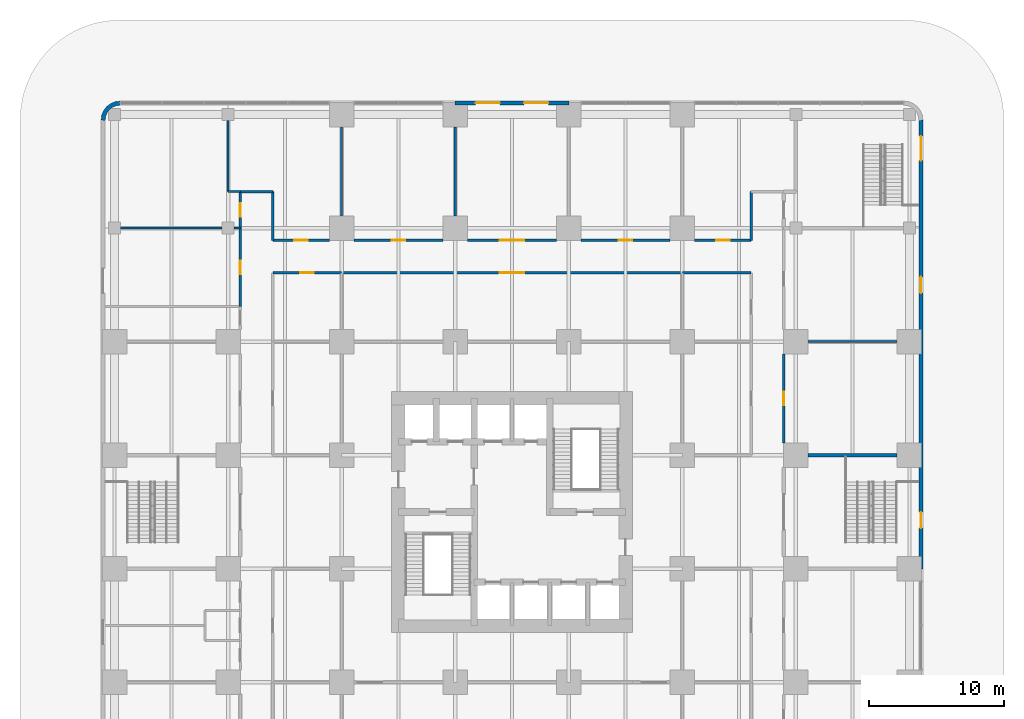
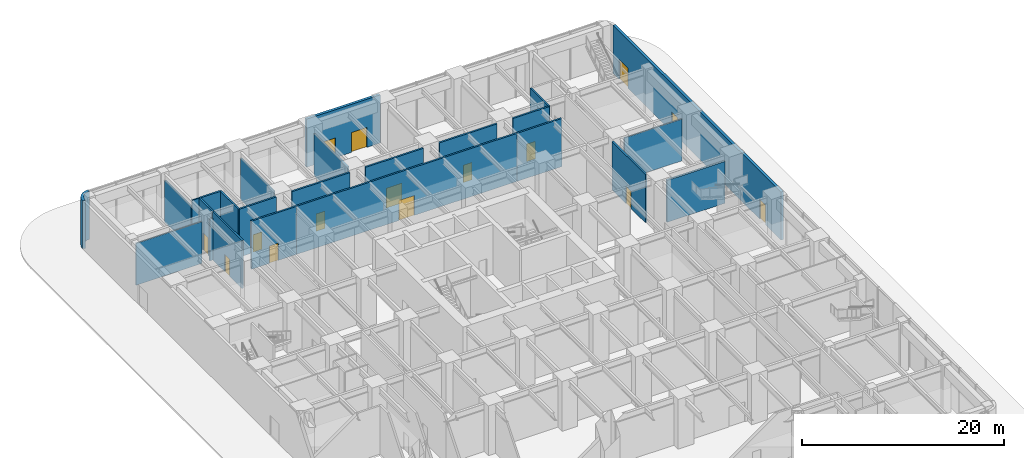
# One storey, part 15 of 21: 25 walls, 15 doors, 15 openings.
"""IFC4 building model written with IfcOpenShell, lengths in metres."""

from ifc_helpers import new_model, si_unit, direction, frame, frame_2d, origin, place, context, subcontext, project, spatial, polyline, rectangle, outline, extrude, material, layer, layer_set, type_object, element, fill, save


model = new_model("IFC4")

# Units and contexts
model_context = context("Model", 3, precision=1e-05, world=origin(), true_north=direction((0.0, 1.0)))
body_context = subcontext(model_context, "Body", "Model", "MODEL_VIEW")
ifc_project = project(units=[si_unit("LENGTHUNIT", "METRE"), si_unit("AREAUNIT", "SQUARE_METRE"), si_unit("VOLUMEUNIT", "CUBIC_METRE"), si_unit("PLANEANGLEUNIT", "RADIAN"), si_unit("MASSUNIT", "GRAM", prefix="KILO")], contexts=[model_context])

# Site, building, storey
site_placement = place(None, origin())
site = spatial("IfcSite", under=ifc_project, at=site_placement, CompositionType="ELEMENT")
building_placement = place(site_placement, origin())
building = spatial("IfcBuilding", under=site, at=building_placement, Name="Torre Alcanfor", CompositionType="ELEMENT")
storey_placement = place(building_placement, origin())
storey = spatial("IfcBuildingStorey", under=building, at=storey_placement, Name="L00", CompositionType="ELEMENT", Elevation=0.0)

# Walls
ifc_material_1 = material(Name="Concrete block masonry, hollow blocks NMX-C-404 9 MPa", Category="masonry")
ifc_layer_1 = layer(ifc_material_1, 0.14990234375)
ifc_layer_set_1 = layer_set([ifc_layer_1], Name="Classroom partition 150")
wall_type_1 = type_object("IfcWallType", Name="Classroom partition 150", PredefinedType="PARTITIONING", material=ifc_layer_set_1)
wall_1_placement = place(storey_placement, frame((51.300048828125, 42.0, 0.0), z_axis=(0.0, 0.0, 1.0), x_axis=(1.0, 0.0, 0.0)))
element("IfcWall", 1, at=wall_1_placement, inside=storey, type_object=wall_type_1, Name="Partition L00-16 / L00-18", PredefinedType="PARTITIONING", context=body_context, shape_type="SweptSolid", body=[
    extrude(rectangle(XDim=6.599853515625, YDim=0.14990234375, at=frame_2d((3.2998046875, 0.0))), origin(), (0.0, 0.0, 1.0), 5.043212890625),
])
wall_2_placement = place(storey_placement, frame((0.449951171875, 50.39990234375, 0.0), z_axis=(0.0, 0.0, 1.0), x_axis=(1.0, 0.0, 0.0)))
element("IfcWall", 2, at=wall_2_placement, inside=storey, type_object=wall_type_1, Name="Partition L00-19 / L00-23", PredefinedType="PARTITIONING", context=body_context, shape_type="SweptSolid", body=[
    extrude(rectangle(XDim=7.5, YDim=0.14990234375, at=frame_2d((3.75, 0.0))), origin(), (0.0, 0.0, 1.0), 5.043212890625),
])
wall_3_placement = place(storey_placement, frame((8.85009765625, 50.39990234375, 0.0), z_axis=(0.0, 0.0, 1.0), x_axis=(1.0, 0.0, 0.0)))
element("IfcWall", 3, at=wall_3_placement, inside=storey, type_object=wall_type_1, Name="Partition L00-19 / L00-23", PredefinedType="PARTITIONING", context=body_context, shape_type="SweptSolid", body=[
    extrude(rectangle(XDim=0.449951171875, YDim=0.14990234375, at=frame_2d((0.22509765625, 0.0))), origin(), (0.0, 0.0, 1.0), 5.043212890625),
])
wall_4_placement = place(storey_placement, frame((16.800048828125, 51.300048828125, 0.0), z_axis=(0.0, 0.0, 1.0), x_axis=(0.0, 1.0, 0.0)))
element("IfcWall", 4, at=wall_4_placement, inside=storey, type_object=wall_type_1, Name="Partition L00-20 / L00-25", PredefinedType="PARTITIONING", context=body_context, shape_type="SweptSolid", body=[
    extrude(rectangle(XDim=6.599853515625, YDim=0.14990234375, at=frame_2d((3.2998046875, 0.0))), origin(), (0.0, 0.0, 1.0), 5.043212890625),
])
wall_5_placement = place(storey_placement, frame((8.39990234375, 58.35009765625, 0.0), z_axis=(0.0, 0.0, 1.0), x_axis=(0.0, -1.0, 0.0)))
element("IfcWall", 5, at=wall_5_placement, inside=storey, type_object=wall_type_1, Name="Partition L00-23 / L00-25", PredefinedType="PARTITIONING", context=body_context, shape_type="SweptSolid", body=[
    extrude(rectangle(XDim=5.25, YDim=0.14990234375, at=frame_2d((2.625, 0.0))), origin(), (0.0, 0.0, 1.0), 5.043212890625),
])
wall_6_placement = place(storey_placement, frame((8.39990234375, 53.10009765625, 0.0), z_axis=(0.0, 0.0, 1.0), x_axis=(1.0, 0.0, 0.0)))
element("IfcWall", 6, at=wall_6_placement, inside=storey, type_object=wall_type_1, Name="Partition L00-23 / L00-25", PredefinedType="PARTITIONING", context=body_context, shape_type="SweptSolid", body=[
    extrude(rectangle(XDim=0.900146484375, YDim=0.14990234375, at=frame_2d((0.4501953125, 0.0))), origin(), (0.0, 0.0, 1.0), 5.800048828125),
])

# Wall, openings, doors
ifc_material_2 = material(Name="Limestone cladding", Category="masonry")
ifc_layer_2 = layer(ifc_material_2, 0.0400390625, Name="Facing")
ifc_material_3 = material(Name="Ventilated air cavity")
ifc_layer_3 = layer(ifc_material_3, 0.02001953125, ventilated=True, Name="Ventilated joint")
ifc_material_4 = material(Name="Mineral wool insulation", Category="insulation")
ifc_layer_4 = layer(ifc_material_4, 0.10009765625, Name="Insulation")
ifc_material_5 = material(Name="Concrete f'c 35 MPa", Category="concrete")
ifc_layer_5 = layer(ifc_material_5, 0.139892578125, Name="Backing")
ifc_layer_set_2 = layer_set([ifc_layer_2, ifc_layer_3, ifc_layer_4, ifc_layer_5], Name="External wall stone-clad 300")
wall_type_2 = type_object("IfcWallType", Name="External wall stone-clad 300", PredefinedType="SOLIDWALL", material=ifc_layer_set_2)
wall_7_placement = place(storey_placement, frame((59.64990234375, 25.199951171875, 0.0), z_axis=(0.0, 0.0, 1.0), x_axis=(0.0, 1.0, 0.0)))
wall_7 = element("IfcWall", 7, at=wall_7_placement, inside=storey, type_object=wall_type_2, Name="External wall L00 E 4", PredefinedType="SOLIDWALL", context=body_context, shape_type="SweptSolid", body=[
    extrude(rectangle(XDim=33.199951171875, YDim=0.300048828125, at=frame_2d((16.60009765625, 0.0))), origin(), (0.0, 0.0, 1.0), 5.800048828125),
])
opening_1_placement = place(wall_7_placement, frame((3.0, 0.0, 0.0)))
opening_1 = element("IfcOpeningElement", 8, at=opening_1_placement, cuts=wall_7, Name="Opening D-S1", PredefinedType="OPENING", context=body_context, shape_type="SweptSolid", body=[
    extrude(rectangle(XDim=1.199951171875, YDim=2.39990234375, at=frame_2d((0.60009765625, 1.199951171875))), frame((0.0, 0.159912109375, 0.0), z_axis=(0.0, -1.0, 0.0), x_axis=(1.0, 0.0, 0.0)), (0.0, 0.0, 1.0), 0.320068359375),
])
opening_2_placement = place(wall_7_placement, frame((20.39990234375, 0.0, 0.0)))
opening_2 = element("IfcOpeningElement", 9, at=opening_2_placement, cuts=wall_7, Name="Opening D-S1", PredefinedType="OPENING", context=body_context, shape_type="SweptSolid", body=[
    extrude(rectangle(XDim=1.199951171875, YDim=2.39990234375, at=frame_2d((0.60009765625, 1.199951171875))), frame((0.0, 0.159912109375, 0.0), z_axis=(0.0, -1.0, 0.0), x_axis=(1.0, 0.0, 0.0)), (0.0, 0.0, 1.0), 0.320068359375),
])
opening_3_placement = place(wall_7_placement, frame((30.199951171875, 0.0, 0.0)))
opening_3 = element("IfcOpeningElement", 10, at=opening_3_placement, cuts=wall_7, Name="Opening D-X1", PredefinedType="OPENING", context=body_context, shape_type="SweptSolid", body=[
    extrude(rectangle(XDim=1.800048828125, YDim=2.39990234375, at=frame_2d((0.89990234375, 1.199951171875))), frame((0.0, 0.159912109375, 0.0), z_axis=(0.0, -1.0, 0.0), x_axis=(1.0, 0.0, 0.0)), (0.0, 0.0, 1.0), 0.320068359375),
])
ifc_material_6 = material(Name="Galvanised steel sheet ASTM A653", Category="steel")
door_type_1 = type_object("IfcDoorType", Name="Exit discharge door steel double 1800x2400", OperationType="DOUBLE_DOOR_SINGLE_SWING", PredefinedType="DOOR", material=ifc_material_6)
door_1_placement = place(opening_3_placement, frame((1.800048828125, 0.0, 0.0), z_axis=(0.0, 0.0, 1.0), x_axis=(-1.0, 0.0, 0.0)))
door_1 = element("IfcDoor", 11, at=door_1_placement, inside=storey, type_object=door_type_1, Name="Exit door E 3", OperationType="DOUBLE_DOOR_SINGLE_SWING", OverallHeight=2.39990234375, OverallWidth=1.800048828125, PredefinedType="DOOR", context=body_context, shape_type="SweptSolid", body=[
    extrude(rectangle(XDim=1.800048828125, YDim=2.39990234375, at=frame_2d((0.900146484375, 1.199951171875))), frame((0.0, 0.025146484375, 0.0), z_axis=(0.0, -1.0, 0.0), x_axis=(1.0, 0.0, 0.0)), (0.0, 0.0, 1.0), 0.050048828125),
])
fill(opening_3, door_1)
ifc_material_7 = material(Name="Galvanised steel sheet ASTM A653", Category="steel")
door_type_2 = type_object("IfcDoorType", Name="Service door steel 1200x2400", OperationType="SINGLE_SWING_LEFT", PredefinedType="DOOR", material=ifc_material_7)
door_2_placement = place(opening_1_placement, frame((1.199951171875, 0.0, 0.0), z_axis=(0.0, 0.0, 1.0), x_axis=(-1.0, 0.0, 0.0)))
door_2 = element("IfcDoor", 12, at=door_2_placement, inside=storey, type_object=door_type_2, Name="Service door E 1", OperationType="SINGLE_SWING_RIGHT", OverallHeight=2.39990234375, OverallWidth=1.199951171875, PredefinedType="DOOR", context=body_context, shape_type="SweptSolid", body=[
    extrude(rectangle(XDim=1.199951171875, YDim=2.39990234375, at=frame_2d((0.599853515625, 1.199951171875))), frame((0.0, 0.025146484375, 0.0), z_axis=(0.0, -1.0, 0.0), x_axis=(1.0, 0.0, 0.0)), (0.0, 0.0, 1.0), 0.050048828125),
])
fill(opening_1, door_2)
door_3_placement = place(opening_2_placement, frame((1.199951171875, 0.0, 0.0), z_axis=(0.0, 0.0, 1.0), x_axis=(-1.0, 0.0, 0.0)))
door_3 = element("IfcDoor", 13, at=door_3_placement, inside=storey, type_object=door_type_2, Name="Service door E 2", OperationType="SINGLE_SWING_LEFT", OverallHeight=2.39990234375, OverallWidth=1.199951171875, PredefinedType="DOOR", context=body_context, shape_type="SweptSolid", body=[
    extrude(rectangle(XDim=1.199951171875, YDim=2.39990234375, at=frame_2d((0.599853515625, 1.199951171875))), frame((0.0, 0.025146484375, 0.0), z_axis=(0.0, -1.0, 0.0), x_axis=(1.0, 0.0, 0.0)), (0.0, 0.0, 1.0), 0.050048828125),
])
fill(opening_2, door_3)

wall_8_placement = place(storey_placement, frame((33.60009765625, 59.64990234375, 0.0), z_axis=(0.0, 0.0, 1.0), x_axis=(-1.0, 0.0, 0.0)))
wall_8 = element("IfcWall", 14, at=wall_8_placement, inside=storey, type_object=wall_type_2, Name="External wall L00 N 2", PredefinedType="SOLIDWALL", context=body_context, shape_type="SweptSolid", body=[
    extrude(rectangle(XDim=8.400146484375, YDim=0.300048828125, at=frame_2d((4.2001953125, 0.0))), origin(), (0.0, 0.0, 1.0), 5.800048828125),
])
opening_4_placement = place(wall_8_placement, frame((5.10009765625, 0.0, 0.0)))
opening_4 = element("IfcOpeningElement", 15, at=opening_4_placement, cuts=wall_8, Name="Opening D-E1", PredefinedType="OPENING", context=body_context, shape_type="SweptSolid", body=[
    extrude(rectangle(XDim=1.800048828125, YDim=2.39990234375, at=frame_2d((0.89990234375, 1.199951171875))), frame((0.0, 0.159912109375, 0.0), z_axis=(0.0, -1.0, 0.0), x_axis=(1.0, 0.0, 0.0)), (0.0, 0.0, 1.0), 0.320068359375),
])
opening_5_placement = place(wall_8_placement, frame((1.5, 0.0, 0.0)))
opening_5 = element("IfcOpeningElement", 16, at=opening_5_placement, cuts=wall_8, Name="Opening D-E1", PredefinedType="OPENING", context=body_context, shape_type="SweptSolid", body=[
    extrude(rectangle(XDim=1.800048828125, YDim=2.39990234375, at=frame_2d((0.89990234375, 1.199951171875))), frame((0.0, 0.159912109375, 0.0), z_axis=(0.0, -1.0, 0.0), x_axis=(1.0, 0.0, 0.0)), (0.0, 0.0, 1.0), 0.320068359375),
])
ifc_material_8 = material(Name="Aluminium and glass", Category="aluminium")
door_type_3 = type_object("IfcDoorType", Name="Entrance door glazed double 1800x2400", OperationType="DOUBLE_DOOR_SINGLE_SWING", PredefinedType="DOOR", material=ifc_material_8)
door_4_placement = place(opening_4_placement, frame((1.800048828125, 0.0, 0.0), z_axis=(0.0, 0.0, 1.0), x_axis=(-1.0, 0.0, 0.0)))
door_4 = element("IfcDoor", 17, at=door_4_placement, inside=storey, type_object=door_type_3, Name="Entrance door N 1", OperationType="DOUBLE_DOOR_SINGLE_SWING", OverallHeight=2.39990234375, OverallWidth=1.800048828125, PredefinedType="DOOR", context=body_context, shape_type="SweptSolid", body=[
    extrude(rectangle(XDim=1.800048828125, YDim=2.39990234375, at=frame_2d((0.900146484375, 1.199951171875))), frame((0.0, 0.025146484375, 0.0), z_axis=(0.0, -1.0, 0.0), x_axis=(1.0, 0.0, 0.0)), (0.0, 0.0, 1.0), 0.050048828125),
])
fill(opening_4, door_4)
door_5_placement = place(opening_5_placement, frame((1.800048828125, 0.0, 0.0), z_axis=(0.0, 0.0, 1.0), x_axis=(-1.0, 0.0, 0.0)))
door_5 = element("IfcDoor", 18, at=door_5_placement, inside=storey, type_object=door_type_3, Name="Entrance door N 2", OperationType="DOUBLE_DOOR_SINGLE_SWING", OverallHeight=2.39990234375, OverallWidth=1.800048828125, PredefinedType="DOOR", context=body_context, shape_type="SweptSolid", body=[
    extrude(rectangle(XDim=1.800048828125, YDim=2.39990234375, at=frame_2d((0.900146484375, 1.199951171875))), frame((0.0, 0.025146484375, 0.0), z_axis=(0.0, -1.0, 0.0), x_axis=(1.0, 0.0, 0.0)), (0.0, 0.0, 1.0), 0.050048828125),
])
fill(opening_5, door_5)

# Wall
ifc_material_9 = material(Name="Reinforced concrete block masonry, hollow blocks NMX-C-404 9 MPa", Category="masonry")
ifc_layer_6 = layer(ifc_material_9, 0.199951171875)
ifc_layer_set_3 = layer_set([ifc_layer_6], Name="Fire separation wall 200 EI 120")
wall_type_3 = type_object("IfcWallType", Name="Fire separation wall 200 EI 120", PredefinedType="SOLIDWALL", material=ifc_layer_set_3)
wall_9_placement = place(storey_placement, frame((25.199951171875, 57.89990234375, 0.0), z_axis=(0.0, 0.0, 1.0), x_axis=(0.0, -1.0, 0.0)))
element("IfcWall", 19, at=wall_9_placement, inside=storey, type_object=wall_type_3, Name="Partition L00-20 / L00-21", PredefinedType="SOLIDWALL", context=body_context, shape_type="SweptSolid", body=[
    extrude(rectangle(XDim=6.599853515625, YDim=0.199951171875, at=frame_2d((3.2998046875, 0.0))), origin(), (0.0, 0.0, 1.0), 5.043212890625),
])

# Wall, opening, door
wall_10_placement = place(storey_placement, frame((32.699951171875, 49.5, 0.0), z_axis=(0.0, 0.0, 1.0), x_axis=(-1.0, 0.0, 0.0)))
wall_10 = element("IfcWall", 20, at=wall_10_placement, inside=storey, type_object=wall_type_3, Name="Partition L00-21 / L00-CORR", PredefinedType="SOLIDWALL", context=body_context, shape_type="SweptSolid", body=[
    extrude(rectangle(XDim=6.599853515625, YDim=0.199951171875, at=frame_2d((3.2998046875, 0.0))), origin(), (0.0, 0.0, 1.0), 5.800048828125),
])
opening_6_placement = place(wall_10_placement, frame((2.39990234375, 0.0, 0.0)))
opening_6 = element("IfcOpeningElement", 21, at=opening_6_placement, cuts=wall_10, Name="Opening D-L2", PredefinedType="OPENING", context=body_context, shape_type="SweptSolid", body=[
    extrude(rectangle(XDim=1.800048828125, YDim=2.39990234375, at=frame_2d((0.89990234375, 1.199951171875))), frame((0.0, 0.10986328125, 0.0), z_axis=(0.0, -1.0, 0.0), x_axis=(1.0, 0.0, 0.0)), (0.0, 0.0, 1.0), 0.219970703125),
])
ifc_material_10 = material(Name="Galvanised steel sheet ASTM A653", Category="steel")
door_type_4 = type_object("IfcDoorType", Name="Lobby double door FD120 1800x2400", OperationType="DOUBLE_DOOR_SINGLE_SWING", PredefinedType="DOOR", material=ifc_material_10)
door_6_placement = place(opening_6_placement, frame((1.800048828125, 0.0, 0.0), z_axis=(0.0, 0.0, 1.0), x_axis=(-1.0, 0.0, 0.0)))
door_6 = element("IfcDoor", 22, at=door_6_placement, inside=storey, type_object=door_type_4, Name="Door L00-21 residential entrance lobby", OperationType="DOUBLE_DOOR_SINGLE_SWING", OverallHeight=2.39990234375, OverallWidth=1.800048828125, PredefinedType="DOOR", context=body_context, shape_type="SweptSolid", body=[
    extrude(rectangle(XDim=1.800048828125, YDim=2.39990234375, at=frame_2d((0.900146484375, 1.199951171875))), frame((0.0, 0.025146484375, 0.0), z_axis=(0.0, -1.0, 0.0), x_axis=(1.0, 0.0, 0.0)), (0.0, 0.0, 1.0), 0.050048828125),
])
fill(opening_6, door_6)

wall_11_placement = place(storey_placement, frame((41.10009765625, 49.5, 0.0), z_axis=(0.0, 0.0, 1.0), x_axis=(-1.0, 0.0, 0.0)))
wall_11 = element("IfcWall", 23, at=wall_11_placement, inside=storey, type_object=wall_type_3, Name="Partition L00-22 / L00-CORR", PredefinedType="SOLIDWALL", context=body_context, shape_type="SweptSolid", body=[
    extrude(rectangle(XDim=6.60009765625, YDim=0.199951171875, at=frame_2d((3.300048828125, 0.0))), origin(), (0.0, 0.0, 1.0), 5.800048828125),
])
opening_7_placement = place(wall_11_placement, frame((2.800048828125, 0.0, 0.0)))
opening_7 = element("IfcOpeningElement", 24, at=opening_7_placement, cuts=wall_11, Name="Opening D-F1", PredefinedType="OPENING", context=body_context, shape_type="SweptSolid", body=[
    extrude(rectangle(XDim=1.0, YDim=2.10009765625, at=frame_2d((0.5, 1.050048828125))), frame((0.0, 0.10986328125, 0.0), z_axis=(0.0, -1.0, 0.0), x_axis=(1.0, 0.0, 0.0)), (0.0, 0.0, 1.0), 0.219970703125),
])
ifc_material_11 = material(Name="Galvanised steel sheet ASTM A653", Category="steel")
door_type_5 = type_object("IfcDoorType", Name="Fire command centre door FD120 1000x2100", OperationType="SINGLE_SWING_RIGHT", PredefinedType="DOOR", material=ifc_material_11)
door_7_placement = place(opening_7_placement, frame((1.0, 0.0, 0.0), z_axis=(0.0, 0.0, 1.0), x_axis=(-1.0, 0.0, 0.0)))
door_7 = element("IfcDoor", 25, at=door_7_placement, inside=storey, type_object=door_type_5, Name="Door L00-22 fire command centre", OperationType="SINGLE_SWING_RIGHT", OverallHeight=2.10009765625, OverallWidth=1.0, PredefinedType="DOOR", context=body_context, shape_type="SweptSolid", body=[
    extrude(rectangle(XDim=1.0, YDim=2.10009765625, at=frame_2d((0.5, 1.050048828125))), frame((0.0, 0.025146484375, 0.0), z_axis=(0.0, -1.0, 0.0), x_axis=(1.0, 0.0, 0.0)), (0.0, 0.0, 1.0), 0.050048828125),
])
fill(opening_7, door_7)

# Wall
ifc_layer_7 = layer(ifc_material_2, 0.0400390625, Name="Facing")
ifc_layer_8 = layer(ifc_material_3, 0.02001953125, ventilated=True, Name="Ventilated joint")
ifc_layer_9 = layer(ifc_material_4, 0.10009765625, Name="Insulation")
ifc_layer_10 = layer(ifc_material_5, 0.139892578125, Name="Backing")
ifc_layer_set_4 = layer_set([ifc_layer_7, ifc_layer_8, ifc_layer_9, ifc_layer_10], Name="Rounded corner pier stone-clad 300")
wall_type_4 = type_object("IfcWallType", Name="Rounded corner pier stone-clad 300", PredefinedType="SOLIDWALL", material=ifc_layer_set_4)
wall_12_placement = place(storey_placement, frame((0.444811019, 59.647901787, 0.0), z_axis=(0.0, 0.0, 1.0), x_axis=(-0.707106781187, 0.707106781187, 0.0)))
element("IfcWall", 26, at=wall_12_placement, inside=storey, type_object=wall_type_4, Name="Corner pier L00 6", PredefinedType="SOLIDWALL", context=body_context, shape_type="SweptSolid", body=[
    extrude(outline(polyline([(0.1391667998288333, 1.9041045383070583), (-0.10079375335703122, 1.719731969384394), (-0.08681044054548093, 1.7057486565728435), (0.09963373027519085, 1.4626807005399678), (0.20925599737808592, 1.1980335580695145), (0.24654483154222023, 0.9142240980424918), (0.2092559973780859, 0.6300693710324682), (0.09963373027519096, 0.3654222285620147), (-0.08681044054548079, 0.12235427252913894), (-0.10079375335703117, 0.10837095971758856), (0.139339433320334, -0.07582897571357508), (0.36169137037313503, 0.2141952900074698), (0.5015244984886389, 0.5518663993826864), (0.5491713421428104, 0.9140514645509912), (0.5016971319801394, 1.2764091632107966), (0.36169137037313503, 1.614252906077514), (0.1391667998288333, 1.9041045383070583)])), origin(), (0.0, 0.0, 1.0), 5.800048828125),
])

# Wall, opening, door
ifc_material_12 = material(Name="Concrete block masonry, hollow blocks NMX-C-404 9 MPa", Category="masonry")
ifc_layer_11 = layer(ifc_material_12, 0.199951171875)
ifc_layer_set_5 = layer_set([ifc_layer_11], Name="School corridor wall 200")
wall_type_5 = type_object("IfcWallType", Name="School corridor wall 200", PredefinedType="PARTITIONING", material=ifc_layer_set_5)
wall_13_placement = place(storey_placement, frame((49.5, 34.5, 0.0), z_axis=(0.0, 0.0, 1.0), x_axis=(0.0, 1.0, 0.0)))
wall_13 = element("IfcWall", 27, at=wall_13_placement, inside=storey, type_object=wall_type_5, Name="Partition L00-16 / L00-CORR", PredefinedType="PARTITIONING", context=body_context, shape_type="SweptSolid", body=[
    extrude(rectangle(XDim=6.60009765625, YDim=0.199951171875, at=frame_2d((3.300048828125, 0.0))), origin(), (0.0, 0.0, 1.0), 5.800048828125),
])
opening_8_placement = place(wall_13_placement, frame((2.800048828125, 0.0, 0.0)))
opening_8 = element("IfcOpeningElement", 28, at=opening_8_placement, cuts=wall_13, Name="Opening D-C1", PredefinedType="OPENING", context=body_context, shape_type="SweptSolid", body=[
    extrude(rectangle(XDim=1.0, YDim=2.10009765625, at=frame_2d((0.5, 1.050048828125))), frame((0.0, 0.10986328125, 0.0), z_axis=(0.0, -1.0, 0.0), x_axis=(1.0, 0.0, 0.0)), (0.0, 0.0, 1.0), 0.219970703125),
])
ifc_material_13 = material(Name="Timber", Category="wood")
door_type_6 = type_object("IfcDoorType", Name="Classroom door 1000x2100", OperationType="SINGLE_SWING_RIGHT", PredefinedType="DOOR", material=ifc_material_13)
door_8_placement = place(opening_8_placement, frame((1.0, 0.0, 0.0), z_axis=(0.0, 0.0, 1.0), x_axis=(-1.0, 0.0, 0.0)))
door_8 = element("IfcDoor", 29, at=door_8_placement, inside=storey, type_object=door_type_6, Name="Door L00-16 staff workroom", OperationType="SINGLE_SWING_RIGHT", OverallHeight=2.10009765625, OverallWidth=1.0, PredefinedType="DOOR", context=body_context, shape_type="SweptSolid", body=[
    extrude(rectangle(XDim=1.0, YDim=2.10009765625, at=frame_2d((0.5, 1.050048828125))), frame((0.0, 0.025146484375, 0.0), z_axis=(0.0, -1.0, 0.0), x_axis=(1.0, 0.0, 0.0)), (0.0, 0.0, 1.0), 0.050048828125),
])
fill(opening_8, door_8)

wall_14_placement = place(storey_placement, frame((9.300048828125, 50.39990234375, 0.0), z_axis=(0.0, 0.0, 1.0), x_axis=(0.0, -1.0, 0.0)))
wall_14 = element("IfcWall", 30, at=wall_14_placement, inside=storey, type_object=wall_type_5, Name="Partition L00-19 / L00-CORR", PredefinedType="PARTITIONING", context=body_context, shape_type="SweptSolid", body=[
    extrude(rectangle(XDim=5.7998046875, YDim=0.199951171875, at=frame_2d((2.89990234375, 0.0))), origin(), (0.0, 0.0, 1.0), 5.800048828125),
])
opening_9_placement = place(wall_14_placement, frame((2.39990234375, 0.0, 0.0)))
opening_9 = element("IfcOpeningElement", 31, at=opening_9_placement, cuts=wall_14, Name="Opening D-C1", PredefinedType="OPENING", context=body_context, shape_type="SweptSolid", body=[
    extrude(rectangle(XDim=1.0, YDim=2.10009765625, at=frame_2d((0.5, 1.050048828125))), frame((0.0, 0.10986328125, 0.0), z_axis=(0.0, -1.0, 0.0), x_axis=(1.0, 0.0, 0.0)), (0.0, 0.0, 1.0), 0.219970703125),
])
door_9_placement = place(opening_9_placement, frame((1.0, 0.0, 0.0), z_axis=(0.0, 0.0, 1.0), x_axis=(-1.0, 0.0, 0.0)))
door_9 = element("IfcDoor", 32, at=door_9_placement, inside=storey, type_object=door_type_6, Name="Door L00-19 pe equipment store", OperationType="SINGLE_SWING_RIGHT", OverallHeight=2.10009765625, OverallWidth=1.0, PredefinedType="DOOR", context=body_context, shape_type="SweptSolid", body=[
    extrude(rectangle(XDim=1.0, YDim=2.10009765625, at=frame_2d((0.5, 1.050048828125))), frame((0.0, 0.025146484375, 0.0), z_axis=(0.0, -1.0, 0.0), x_axis=(1.0, 0.0, 0.0)), (0.0, 0.0, 1.0), 0.050048828125),
])
fill(opening_9, door_9)

wall_15_placement = place(storey_placement, frame((24.300048828125, 49.5, 0.0), z_axis=(0.0, 0.0, 1.0), x_axis=(-1.0, 0.0, 0.0)))
wall_15 = element("IfcWall", 33, at=wall_15_placement, inside=storey, type_object=wall_type_5, Name="Partition L00-20 / L00-CORR", PredefinedType="PARTITIONING", context=body_context, shape_type="SweptSolid", body=[
    extrude(rectangle(XDim=6.60009765625, YDim=0.199951171875, at=frame_2d((3.300048828125, 0.0))), origin(), (0.0, 0.0, 1.0), 5.800048828125),
])
opening_10_placement = place(wall_15_placement, frame((2.800048828125, 0.0, 0.0)))
opening_10 = element("IfcOpeningElement", 34, at=opening_10_placement, cuts=wall_15, Name="Opening D-C1", PredefinedType="OPENING", context=body_context, shape_type="SweptSolid", body=[
    extrude(rectangle(XDim=1.0, YDim=2.10009765625, at=frame_2d((0.5, 1.050048828125))), frame((0.0, 0.10986328125, 0.0), z_axis=(0.0, -1.0, 0.0), x_axis=(1.0, 0.0, 0.0)), (0.0, 0.0, 1.0), 0.219970703125),
])
door_10_placement = place(opening_10_placement, frame((1.0, 0.0, 0.0), z_axis=(0.0, 0.0, 1.0), x_axis=(-1.0, 0.0, 0.0)))
door_10 = element("IfcDoor", 35, at=door_10_placement, inside=storey, type_object=door_type_6, Name="Door L00-20 staff meeting room", OperationType="SINGLE_SWING_RIGHT", OverallHeight=2.10009765625, OverallWidth=1.0, PredefinedType="DOOR", context=body_context, shape_type="SweptSolid", body=[
    extrude(rectangle(XDim=1.0, YDim=2.10009765625, at=frame_2d((0.5, 1.050048828125))), frame((0.0, 0.025146484375, 0.0), z_axis=(0.0, -1.0, 0.0), x_axis=(1.0, 0.0, 0.0)), (0.0, 0.0, 1.0), 0.050048828125),
])
fill(opening_10, door_10)

wall_16_placement = place(storey_placement, frame((9.300048828125, 53.10009765625, 0.0), z_axis=(0.0, 0.0, 1.0), x_axis=(0.0, -1.0, 0.0)))
wall_16 = element("IfcWall", 36, at=wall_16_placement, inside=storey, type_object=wall_type_5, Name="Partition L00-23 / L00-CORR", PredefinedType="PARTITIONING", context=body_context, shape_type="SweptSolid", body=[
    extrude(rectangle(XDim=2.7001953125, YDim=0.199951171875, at=frame_2d((1.35009765625, 0.0))), origin(), (0.0, 0.0, 1.0), 5.800048828125),
])
opening_11_placement = place(wall_16_placement, frame((0.85009765625, 0.0, 0.0)))
opening_11 = element("IfcOpeningElement", 37, at=opening_11_placement, cuts=wall_16, Name="Opening D-C1", PredefinedType="OPENING", context=body_context, shape_type="SweptSolid", body=[
    extrude(rectangle(XDim=1.0, YDim=2.10009765625, at=frame_2d((0.5, 1.050048828125))), frame((0.0, 0.10986328125, 0.0), z_axis=(0.0, -1.0, 0.0), x_axis=(1.0, 0.0, 0.0)), (0.0, 0.0, 1.0), 0.219970703125),
])
door_11_placement = place(opening_11_placement, frame((1.0, 0.0, 0.0), z_axis=(0.0, 0.0, 1.0), x_axis=(-1.0, 0.0, 0.0)))
door_11 = element("IfcDoor", 38, at=door_11_placement, inside=storey, type_object=door_type_6, Name="Door L00-23 examinations office", OperationType="SINGLE_SWING_RIGHT", OverallHeight=2.10009765625, OverallWidth=1.0, PredefinedType="DOOR", context=body_context, shape_type="SweptSolid", body=[
    extrude(rectangle(XDim=1.0, YDim=2.10009765625, at=frame_2d((0.5, 1.050048828125))), frame((0.0, 0.025146484375, 0.0), z_axis=(0.0, -1.0, 0.0), x_axis=(1.0, 0.0, 0.0)), (0.0, 0.0, 1.0), 0.050048828125),
])
fill(opening_11, door_11)

wall_17_placement = place(storey_placement, frame((15.89990234375, 49.5, 0.0), z_axis=(0.0, 0.0, 1.0), x_axis=(-1.0, 0.0, 0.0)))
wall_17 = element("IfcWall", 39, at=wall_17_placement, inside=storey, type_object=wall_type_5, Name="Partition L00-25 / L00-CORR", PredefinedType="PARTITIONING", context=body_context, shape_type="SweptSolid", body=[
    extrude(rectangle(XDim=4.199951171875, YDim=0.199951171875, at=frame_2d((2.10009765625, 0.0))), origin(), (0.0, 0.0, 1.0), 5.800048828125),
])
opening_12_placement = place(wall_17_placement, frame((1.60009765625, 0.0, 0.0)))
opening_12 = element("IfcOpeningElement", 40, at=opening_12_placement, cuts=wall_17, Name="Opening D-C1", PredefinedType="OPENING", context=body_context, shape_type="SweptSolid", body=[
    extrude(rectangle(XDim=1.0, YDim=2.10009765625, at=frame_2d((0.5, 1.050048828125))), frame((0.0, 0.10986328125, 0.0), z_axis=(0.0, -1.0, 0.0), x_axis=(1.0, 0.0, 0.0)), (0.0, 0.0, 1.0), 0.219970703125),
])
door_12_placement = place(opening_12_placement, frame((1.0, 0.0, 0.0), z_axis=(0.0, 0.0, 1.0), x_axis=(-1.0, 0.0, 0.0)))
door_12 = element("IfcDoor", 41, at=door_12_placement, inside=storey, type_object=door_type_6, Name="Door L00-25 caretaker's office", OperationType="SINGLE_SWING_RIGHT", OverallHeight=2.10009765625, OverallWidth=1.0, PredefinedType="DOOR", context=body_context, shape_type="SweptSolid", body=[
    extrude(rectangle(XDim=1.0, YDim=2.10009765625, at=frame_2d((0.5, 1.050048828125))), frame((0.0, 0.025146484375, 0.0), z_axis=(0.0, -1.0, 0.0), x_axis=(1.0, 0.0, 0.0)), (0.0, 0.0, 1.0), 0.050048828125),
])
fill(opening_12, door_12)

# Walls
wall_18_placement = place(storey_placement, frame((11.699951171875, 49.5, 0.0), z_axis=(0.0, 0.0, 1.0), x_axis=(0.0, 1.0, 0.0)))
element("IfcWall", 42, at=wall_18_placement, inside=storey, type_object=wall_type_5, Name="Partition L00-25 / L00-CORR", PredefinedType="PARTITIONING", context=body_context, shape_type="SweptSolid", body=[
    extrude(rectangle(XDim=3.60009765625, YDim=0.199951171875, at=frame_2d((1.800048828125, 0.0))), origin(), (0.0, 0.0, 1.0), 5.800048828125),
])
wall_19_placement = place(storey_placement, frame((11.699951171875, 53.10009765625, 0.0), z_axis=(0.0, 0.0, 1.0), x_axis=(-1.0, 0.0, 0.0)))
element("IfcWall", 43, at=wall_19_placement, inside=storey, type_object=wall_type_5, Name="Partition L00-25 / L00-CORR", PredefinedType="PARTITIONING", context=body_context, shape_type="SweptSolid", body=[
    extrude(rectangle(XDim=2.39990234375, YDim=0.199951171875, at=frame_2d((1.199951171875, 0.0))), origin(), (0.0, 0.0, 1.0), 5.800048828125),
])
wall_20_placement = place(storey_placement, frame((47.10009765625, 53.10009765625, 0.0), z_axis=(0.0, 0.0, 1.0), x_axis=(0.0, -1.0, 0.0)))
element("IfcWall", 44, at=wall_20_placement, inside=storey, type_object=wall_type_5, Name="Partition L00-26 / L00-CORR", PredefinedType="PARTITIONING", context=body_context, shape_type="SweptSolid", body=[
    extrude(rectangle(XDim=3.60009765625, YDim=0.199951171875, at=frame_2d((1.800048828125, 0.0))), origin(), (0.0, 0.0, 1.0), 5.800048828125),
])

# Wall, opening, door
wall_21_placement = place(storey_placement, frame((47.10009765625, 49.5, 0.0), z_axis=(0.0, 0.0, 1.0), x_axis=(-1.0, 0.0, 0.0)))
wall_21 = element("IfcWall", 45, at=wall_21_placement, inside=storey, type_object=wall_type_5, Name="Partition L00-26 / L00-CORR", PredefinedType="PARTITIONING", context=body_context, shape_type="SweptSolid", body=[
    extrude(rectangle(XDim=4.2001953125, YDim=0.199951171875, at=frame_2d((2.10009765625, 0.0))), origin(), (0.0, 0.0, 1.0), 5.800048828125),
])
opening_13_placement = place(wall_21_placement, frame((1.60009765625, 0.0, 0.0)))
opening_13 = element("IfcOpeningElement", 46, at=opening_13_placement, cuts=wall_21, Name="Opening D-C1", PredefinedType="OPENING", context=body_context, shape_type="SweptSolid", body=[
    extrude(rectangle(XDim=1.0, YDim=2.10009765625, at=frame_2d((0.5, 1.050048828125))), frame((0.0, 0.10986328125, 0.0), z_axis=(0.0, -1.0, 0.0), x_axis=(1.0, 0.0, 0.0)), (0.0, 0.0, 1.0), 0.219970703125),
])
door_13_placement = place(opening_13_placement, frame((1.0, 0.0, 0.0), z_axis=(0.0, 0.0, 1.0), x_axis=(-1.0, 0.0, 0.0)))
door_13 = element("IfcDoor", 47, at=door_13_placement, inside=storey, type_object=door_type_6, Name="Door L00-26 security office", OperationType="SINGLE_SWING_RIGHT", OverallHeight=2.10009765625, OverallWidth=1.0, PredefinedType="DOOR", context=body_context, shape_type="SweptSolid", body=[
    extrude(rectangle(XDim=1.0, YDim=2.10009765625, at=frame_2d((0.5, 1.050048828125))), frame((0.0, 0.025146484375, 0.0), z_axis=(0.0, -1.0, 0.0), x_axis=(1.0, 0.0, 0.0)), (0.0, 0.0, 1.0), 0.050048828125),
])
fill(opening_13, door_13)

wall_22_placement = place(storey_placement, frame((16.800048828125, 47.10009765625, 0.0), z_axis=(0.0, 0.0, 1.0), x_axis=(-1.0, 0.0, 0.0)))
wall_22 = element("IfcWall", 48, at=wall_22_placement, inside=storey, type_object=wall_type_5, Name="Partition L00-CORR / L00-I11", PredefinedType="PARTITIONING", context=body_context, shape_type="SweptSolid", body=[
    extrude(rectangle(XDim=5.10009765625, YDim=0.199951171875, at=frame_2d((2.550048828125, 0.0))), origin(), (0.0, 0.0, 1.0), 5.800048828125),
])
opening_14_placement = place(wall_22_placement, frame((2.050048828125, 0.0, 0.0)))
opening_14 = element("IfcOpeningElement", 49, at=opening_14_placement, cuts=wall_22, Name="Opening D-C1", PredefinedType="OPENING", context=body_context, shape_type="SweptSolid", body=[
    extrude(rectangle(XDim=1.0, YDim=2.10009765625, at=frame_2d((0.5, 1.050048828125))), frame((0.0, 0.10986328125, 0.0), z_axis=(0.0, -1.0, 0.0), x_axis=(1.0, 0.0, 0.0)), (0.0, 0.0, 1.0), 0.219970703125),
])
door_14_placement = place(opening_14_placement, origin())
door_14 = element("IfcDoor", 50, at=door_14_placement, inside=storey, type_object=door_type_6, Name="Door L00-I11 equipment store", OperationType="SINGLE_SWING_LEFT", OverallHeight=2.10009765625, OverallWidth=1.0, PredefinedType="DOOR", context=body_context, shape_type="SweptSolid", body=[
    extrude(rectangle(XDim=1.0, YDim=2.10009765625, at=frame_2d((0.5, 1.050048828125))), frame((0.0, 0.02490234375, 0.0), z_axis=(0.0, -1.0, 0.0), x_axis=(1.0, 0.0, 0.0)), (0.0, 0.0, 1.0), 0.050048828125),
])
fill(opening_14, door_14)

wall_23_placement = place(storey_placement, frame((42.0, 47.10009765625, 0.0), z_axis=(0.0, 0.0, 1.0), x_axis=(-1.0, 0.0, 0.0)))
wall_23 = element("IfcWall", 51, at=wall_23_placement, inside=storey, type_object=wall_type_5, Name="Partition L00-CORR / L00-I12", PredefinedType="PARTITIONING", context=body_context, shape_type="SweptSolid", body=[
    extrude(rectangle(XDim=25.199951171875, YDim=0.199951171875, at=frame_2d((12.60009765625, 0.0))), origin(), (0.0, 0.0, 1.0), 5.800048828125),
])
opening_15_placement = place(wall_23_placement, frame((11.699951171875, 0.0, 0.0)))
opening_15 = element("IfcOpeningElement", 52, at=opening_15_placement, cuts=wall_23, Name="Opening D-C2", PredefinedType="OPENING", context=body_context, shape_type="SweptSolid", body=[
    extrude(rectangle(XDim=1.800048828125, YDim=2.39990234375, at=frame_2d((0.89990234375, 1.199951171875))), frame((0.0, 0.10986328125, 0.0), z_axis=(0.0, -1.0, 0.0), x_axis=(1.0, 0.0, 0.0)), (0.0, 0.0, 1.0), 0.219970703125),
])
ifc_material_14 = material(Name="Timber", Category="wood")
door_type_7 = type_object("IfcDoorType", Name="Double door 1800x2400", OperationType="DOUBLE_DOOR_SINGLE_SWING", PredefinedType="DOOR", material=ifc_material_14)
door_15_placement = place(opening_15_placement, frame((1.800048828125, 0.0, 0.0), z_axis=(0.0, 0.0, 1.0), x_axis=(-1.0, 0.0, 0.0)))
door_15 = element("IfcDoor", 53, at=door_15_placement, inside=storey, type_object=door_type_7, Name="Door L00-I12 library", OperationType="DOUBLE_DOOR_SINGLE_SWING", OverallHeight=2.39990234375, OverallWidth=1.800048828125, PredefinedType="DOOR", context=body_context, shape_type="SweptSolid", body=[
    extrude(rectangle(XDim=1.800048828125, YDim=2.39990234375, at=frame_2d((0.900146484375, 1.199951171875))), frame((0.0, 0.025146484375, 0.0), z_axis=(0.0, -1.0, 0.0), x_axis=(1.0, 0.0, 0.0)), (0.0, 0.0, 1.0), 0.050048828125),
])
fill(opening_15, door_15)

# Walls
wall_24_placement = place(storey_placement, frame((47.10009765625, 47.10009765625, 0.0), z_axis=(0.0, 0.0, 1.0), x_axis=(-1.0, 0.0, 0.0)))
element("IfcWall", 54, at=wall_24_placement, inside=storey, type_object=wall_type_5, Name="Partition L00-CORR / L00-I13", PredefinedType="PARTITIONING", context=body_context, shape_type="SweptSolid", body=[
    extrude(rectangle(XDim=5.10009765625, YDim=0.199951171875, at=frame_2d((2.550048828125, 0.0))), origin(), (0.0, 0.0, 1.0), 5.800048828125),
])
ifc_material_15 = material(Name="Reinforced concrete block masonry, hollow blocks NMX-C-404 9 MPa", Category="masonry")
ifc_layer_12 = layer(ifc_material_15, 0.25)
ifc_layer_set_6 = layer_set([ifc_layer_12], Name="Stair enclosure wall 250 EI 120")
wall_type_6 = type_object("IfcWallType", Name="Stair enclosure wall 250 EI 120", PredefinedType="SOLIDWALL", material=ifc_layer_set_6)
wall_25_placement = place(storey_placement, frame((51.300048828125, 33.60009765625, 0.0), z_axis=(0.0, 0.0, 1.0), x_axis=(1.0, 0.0, 0.0)))
element("IfcWall", 55, at=wall_25_placement, inside=storey, type_object=wall_type_6, Name="Partition L00-SS2 / L00-16", PredefinedType="SOLIDWALL", context=body_context, shape_type="SweptSolid", body=[
    extrude(rectangle(XDim=6.599853515625, YDim=0.25, at=frame_2d((3.2998046875, 0.0))), origin(), (0.0, 0.0, 1.0), 5.043212890625),
])

save(model, "model.ifc")
